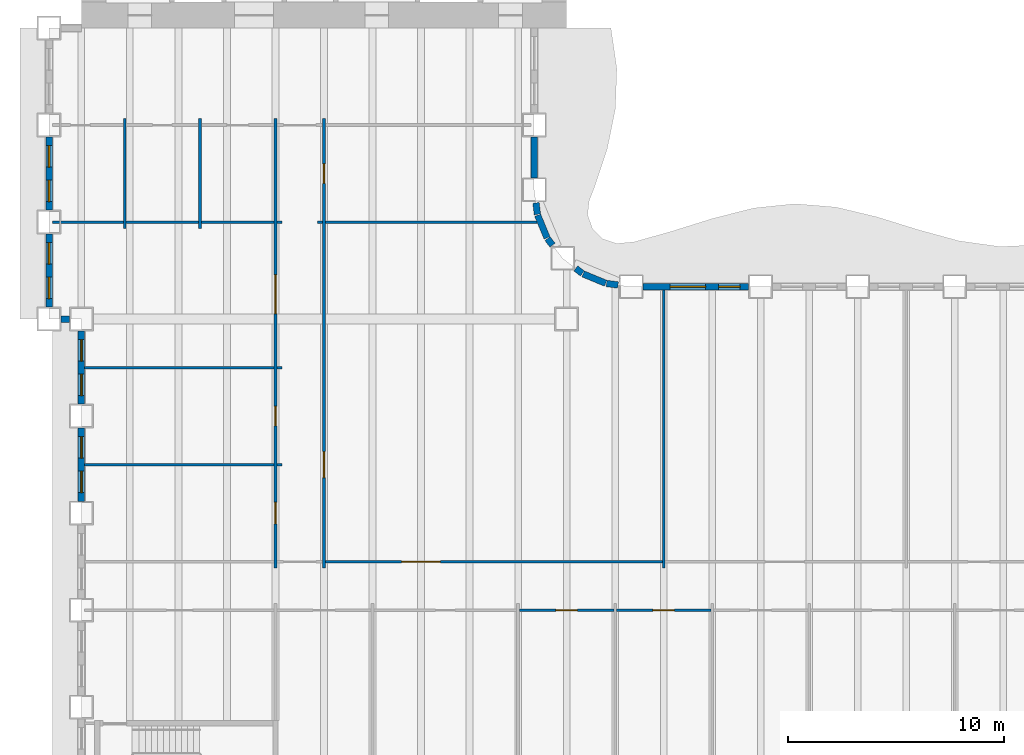
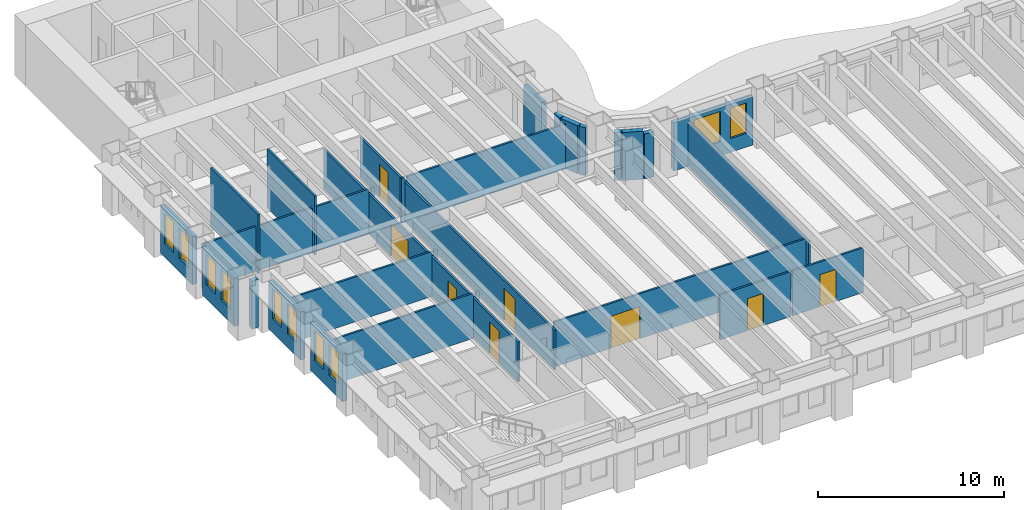
# One storey, part 4 of 15: 31 walls, 10 windows, 8 doors, 18 openings.
"""IFC4 building model written with IfcOpenShell, lengths in metres."""

from ifc_helpers import new_model, si_unit, direction, frame, frame_2d, origin, place, context, subcontext, project, spatial, rectangle, extrude, material, layer, layer_set, type_object, element, fill, save


model = new_model("IFC4")

# Units and contexts
model_context = context("Model", 3, precision=1e-05, world=origin(), true_north=direction((0.0, 1.0)))
body_context = subcontext(model_context, "Body", "Model", "MODEL_VIEW")
ifc_project = project(units=[si_unit("LENGTHUNIT", "METRE"), si_unit("AREAUNIT", "SQUARE_METRE"), si_unit("VOLUMEUNIT", "CUBIC_METRE"), si_unit("PLANEANGLEUNIT", "RADIAN"), si_unit("MASSUNIT", "GRAM", prefix="KILO")], contexts=[model_context])

# Site, building, storey
site_placement = place(None, origin())
site = spatial("IfcSite", under=ifc_project, at=site_placement, CompositionType="ELEMENT")
building_placement = place(site_placement, origin())
building = spatial("IfcBuilding", under=site, at=building_placement, Name="Sennacour Bend Tower", CompositionType="ELEMENT")
storey_placement = place(building_placement, frame((0.0, 0.0, 33.0)))
storey = spatial("IfcBuildingStorey", under=building, at=storey_placement, Name="L06", CompositionType="ELEMENT", Elevation=33.0)

# Walls
ifc_material_1 = material(Name="Plasterboard partition on steel studs", Category="steel")
ifc_layer_1 = layer(ifc_material_1, 0.1201171875, Name="Plasterboard partition on steel studs", Category="steel")
ifc_layer_set_1 = layer_set([ifc_layer_1], Name="Plasterboard partition on steel studs")
wall_type_1 = type_object("IfcWallType", Name="Partition 120", PredefinedType="PARTITIONING", material=ifc_layer_set_1)
for number, where, z_axis, x_axis, name in (
    (1, (2.0, 26.699951171875, 0.0), (0.0, 0.0, 1.0), (0.0, 1.0, 0.0), "P-L06-W004a"),
    (2, (5.5, 26.699951171875, 0.0), (0.0, 0.0, 1.0), (0.0, 1.0, 0.0), "P-L06-W008a"),
):
    element("IfcWall", number, at=place(storey_placement, frame(where, z_axis=z_axis, x_axis=x_axis)), inside=storey, type_object=wall_type_1, Name=name, PredefinedType="PARTITIONING", context=body_context, shape_type="SweptSolid", body=[
        extrude(rectangle(XDim=5.10009765625, YDim=0.1201171875, at=frame_2d((2.550048828125, 0.0))), origin(), (0.0, 0.0, 1.0), 3.85009765625),
    ])
wall_1_placement = place(storey_placement, frame((27.0, 10.949951171875, 0.0), z_axis=(0.0, 0.0, 1.0), x_axis=(0.0, 1.0, 0.0)))
element("IfcWall", 3, at=wall_1_placement, inside=storey, type_object=wall_type_1, Name="P-L06-W027a", PredefinedType="PARTITIONING", context=body_context, shape_type="SweptSolid", body=[
    extrude(rectangle(XDim=12.900146484375, YDim=0.1201171875, at=frame_2d((6.4501953125, 0.0))), origin(), (0.0, 0.0, 1.0), 2.93798828125),
])

# Wall, opening, door
wall_2_placement = place(storey_placement, frame((20.31005859375, 9.0, 0.0), z_axis=(0.0, 0.0, 1.0), x_axis=(1.0, 0.0, 0.0)))
wall_2 = element("IfcWall", 4, at=wall_2_placement, inside=storey, type_object=wall_type_1, Name="P-L06-W058ad", PredefinedType="PARTITIONING", context=body_context, shape_type="SweptSolid", body=[
    extrude(rectangle(XDim=4.3798828125, YDim=0.1201171875, at=frame_2d((2.18994140625, 0.0))), origin(), (0.0, 0.0, 1.0), 2.93798828125),
])
opening_1_placement = place(wall_2_placement, frame((1.68994140625, 0.0, 0.0)))
opening_1 = element("IfcOpeningElement", 5, at=opening_1_placement, cuts=wall_2, Name="Opening MD2", PredefinedType="OPENING", context=body_context, shape_type="SweptSolid", body=[
    extrude(rectangle(XDim=1.0, YDim=2.10009765625, at=frame_2d((0.5, 1.050048828125))), frame((0.0, 0.070068359375, 0.0), z_axis=(0.0, -1.0, 0.0), x_axis=(1.0, 0.0, 0.0)), (0.0, 0.0, 1.0), 0.14013671875),
])
ifc_material_2 = material(Name="Timber", Category="wood")
door_type_1 = type_object("IfcDoorType", Name="DR-MEETING-1000", OperationType="NOTDEFINED", PredefinedType="DOOR", material=ifc_material_2)
door_1_placement = place(opening_1_placement, origin())
door_1 = element("IfcDoor", 6, at=door_1_placement, inside=storey, type_object=door_type_1, Name="Door", OperationType="SINGLE_SWING_LEFT", OverallHeight=2.10009765625, OverallWidth=1.0, PredefinedType="DOOR", context=body_context, shape_type="SweptSolid", body=[
    extrude(rectangle(XDim=1.0, YDim=2.10009765625, at=frame_2d((0.5, 1.050048828125))), frame((0.0, 0.02490234375, 0.0), z_axis=(0.0, -1.0, 0.0), x_axis=(1.0, 0.0, 0.0)), (0.0, 0.0, 1.0), 0.050048828125),
])
fill(opening_1, door_1)

wall_3_placement = place(storey_placement, frame((24.81005859375, 9.0, 0.0), z_axis=(0.0, 0.0, 1.0), x_axis=(1.0, 0.0, 0.0)))
wall_3 = element("IfcWall", 7, at=wall_3_placement, inside=storey, type_object=wall_type_1, Name="P-L06-W058ae", PredefinedType="PARTITIONING", context=body_context, shape_type="SweptSolid", body=[
    extrude(rectangle(XDim=4.3798828125, YDim=0.1201171875, at=frame_2d((2.18994140625, 0.0))), origin(), (0.0, 0.0, 1.0), 2.93798828125),
])
opening_2_placement = place(wall_3_placement, frame((1.68994140625, 0.0, 0.0)))
opening_2 = element("IfcOpeningElement", 8, at=opening_2_placement, cuts=wall_3, Name="Opening OD2", PredefinedType="OPENING", context=body_context, shape_type="SweptSolid", body=[
    extrude(rectangle(XDim=1.0, YDim=2.10009765625, at=frame_2d((0.5, 1.050048828125))), frame((0.0, 0.070068359375, 0.0), z_axis=(0.0, -1.0, 0.0), x_axis=(1.0, 0.0, 0.0)), (0.0, 0.0, 1.0), 0.14013671875),
])
door_type_2 = type_object("IfcDoorType", Name="DR-OFFICE-1000", OperationType="NOTDEFINED", PredefinedType="DOOR", material=ifc_material_2)
door_2_placement = place(opening_2_placement, origin())
door_2 = element("IfcDoor", 9, at=door_2_placement, inside=storey, type_object=door_type_2, Name="Door", OperationType="SINGLE_SWING_LEFT", OverallHeight=2.10009765625, OverallWidth=1.0, PredefinedType="DOOR", context=body_context, shape_type="SweptSolid", body=[
    extrude(rectangle(XDim=1.0, YDim=2.10009765625, at=frame_2d((0.5, 1.050048828125))), frame((0.0, 0.02490234375, 0.0), z_axis=(0.0, -1.0, 0.0), x_axis=(1.0, 0.0, 0.0)), (0.0, 0.0, 1.0), 0.050048828125),
])
fill(opening_2, door_2)

wall_4_placement = place(storey_placement, frame((11.31005859375, 11.25, 0.0), z_axis=(0.0, 0.0, 1.0), x_axis=(1.0, 0.0, 0.0)))
wall_4 = element("IfcWall", 10, at=wall_4_placement, inside=storey, type_object=wall_type_1, Name="P-L06-W060ac", PredefinedType="PARTITIONING", context=body_context, shape_type="SweptSolid", body=[
    extrude(rectangle(XDim=15.6298828125, YDim=0.1201171875, at=frame_2d((7.81494140625, 0.0))), origin(), (0.0, 0.0, 1.0), 2.93798828125),
])
opening_3_placement = place(wall_4_placement, frame((3.539794921875, 0.0, 0.0)))
opening_3 = element("IfcOpeningElement", 11, at=opening_3_placement, cuts=wall_4, Name="Opening OD3", PredefinedType="OPENING", context=body_context, shape_type="SweptSolid", body=[
    extrude(rectangle(XDim=1.800048828125, YDim=2.10009765625, at=frame_2d((0.89990234375, 1.050048828125))), frame((0.0, 0.070068359375, 0.0), z_axis=(0.0, -1.0, 0.0), x_axis=(1.0, 0.0, 0.0)), (0.0, 0.0, 1.0), 0.14013671875),
])
door_type_3 = type_object("IfcDoorType", Name="DR-OFFICE-1800", OperationType="NOTDEFINED", PredefinedType="DOOR", material=ifc_material_2)
door_3_placement = place(opening_3_placement, origin())
door_3 = element("IfcDoor", 12, at=door_3_placement, inside=storey, type_object=door_type_3, Name="Door", OperationType="DOUBLE_DOOR_SINGLE_SWING", OverallHeight=2.10009765625, OverallWidth=1.800048828125, PredefinedType="DOOR", context=body_context, shape_type="SweptSolid", body=[
    extrude(rectangle(XDim=1.800048828125, YDim=2.10009765625, at=frame_2d((0.89990234375, 1.050048828125))), frame((0.0, 0.02490234375, 0.0), z_axis=(0.0, -1.0, 0.0), x_axis=(1.0, 0.0, 0.0)), (0.0, 0.0, 1.0), 0.050048828125),
])
fill(opening_3, door_3)

# Walls
wall_5_placement = place(storey_placement, frame((0.14990234375, 15.75, 0.0), z_axis=(0.0, 0.0, 1.0), x_axis=(1.0, 0.0, 0.0)))
element("IfcWall", 13, at=wall_5_placement, inside=storey, type_object=wall_type_1, Name="P-L06-W065aa", PredefinedType="PARTITIONING", context=body_context, shape_type="SweptSolid", body=[
    extrude(rectangle(XDim=8.7900390625, YDim=0.1201171875, at=frame_2d((4.39501953125, 0.0))), origin(), (0.0, 0.0, 1.0), 2.93798828125),
])
wall_6_placement = place(storey_placement, frame((9.06005859375, 15.75, 0.0), z_axis=(0.0, 0.0, 1.0), x_axis=(1.0, 0.0, 0.0)))
element("IfcWall", 14, at=wall_6_placement, inside=storey, type_object=wall_type_1, Name="P-L06-W065ab", PredefinedType="PARTITIONING", context=body_context, shape_type="SweptSolid", body=[
    extrude(rectangle(XDim=0.239990234375, YDim=0.1201171875, at=frame_2d((0.1201171875, 0.0))), origin(), (0.0, 0.0, 1.0), 2.93798828125),
])
wall_7_placement = place(storey_placement, frame((0.14990234375, 20.25, 0.0), z_axis=(0.0, 0.0, 1.0), x_axis=(1.0, 0.0, 0.0)))
element("IfcWall", 15, at=wall_7_placement, inside=storey, type_object=wall_type_1, Name="P-L06-W069aa", PredefinedType="PARTITIONING", context=body_context, shape_type="SweptSolid", body=[
    extrude(rectangle(XDim=8.7900390625, YDim=0.1201171875, at=frame_2d((4.39501953125, 0.0))), origin(), (0.0, 0.0, 1.0), 2.93798828125),
])
wall_8_placement = place(storey_placement, frame((9.06005859375, 20.25, 0.0), z_axis=(0.0, 0.0, 1.0), x_axis=(1.0, 0.0, 0.0)))
element("IfcWall", 16, at=wall_8_placement, inside=storey, type_object=wall_type_1, Name="P-L06-W069ab", PredefinedType="PARTITIONING", context=body_context, shape_type="SweptSolid", body=[
    extrude(rectangle(XDim=0.239990234375, YDim=0.1201171875, at=frame_2d((0.1201171875, 0.0))), origin(), (0.0, 0.0, 1.0), 2.93798828125),
])
wall_9_placement = place(storey_placement, frame((-1.35009765625, 27.0, 0.0), z_axis=(0.0, 0.0, 1.0), x_axis=(1.0, 0.0, 0.0)))
element("IfcWall", 17, at=wall_9_placement, inside=storey, type_object=wall_type_1, Name="P-L06-W071aa", PredefinedType="PARTITIONING", context=body_context, shape_type="SweptSolid", body=[
    extrude(rectangle(XDim=3.2900390625, YDim=0.1201171875, at=frame_2d((1.64501953125, 0.0))), origin(), (0.0, 0.0, 1.0), 2.93798828125),
])
for number, where, z_axis, x_axis, name in (
    (18, (2.06005859375, 27.0, 0.0), (0.0, 0.0, 1.0), (1.0, 0.0, 0.0), "P-L06-W071ab"),
    (19, (5.56005859375, 27.0, 0.0), (0.0, 0.0, 1.0), (1.0, 0.0, 0.0), "P-L06-W071ac"),
):
    element("IfcWall", number, at=place(storey_placement, frame(where, z_axis=z_axis, x_axis=x_axis)), inside=storey, type_object=wall_type_1, Name=name, PredefinedType="PARTITIONING", context=body_context, shape_type="SweptSolid", body=[
        extrude(rectangle(XDim=3.3798828125, YDim=0.1201171875, at=frame_2d((1.68994140625, 0.0))), origin(), (0.0, 0.0, 1.0), 2.93798828125),
    ])
for number, where, z_axis, x_axis, name in (
    (20, (9.06005859375, 27.0, 0.0), (0.0, 0.0, 1.0), (1.0, 0.0, 0.0), "P-L06-W071ad"),
    (21, (10.949951171875, 27.0, 0.0), (0.0, 0.0, 1.0), (1.0, 0.0, 0.0), "P-L06-W072aa"),
):
    element("IfcWall", number, at=place(storey_placement, frame(where, z_axis=z_axis, x_axis=x_axis)), inside=storey, type_object=wall_type_1, Name=name, PredefinedType="PARTITIONING", context=body_context, shape_type="SweptSolid", body=[
        extrude(rectangle(XDim=0.239990234375, YDim=0.1201171875, at=frame_2d((0.1201171875, 0.0))), origin(), (0.0, 0.0, 1.0), 2.93798828125),
    ])
wall_10_placement = place(storey_placement, frame((11.31005859375, 27.0, 0.0), z_axis=(0.0, 0.0, 1.0), x_axis=(1.0, 0.0, 0.0)))
element("IfcWall", 22, at=wall_10_placement, inside=storey, type_object=wall_type_1, Name="P-L06-W072ab", PredefinedType="PARTITIONING", context=body_context, shape_type="SweptSolid", body=[
    extrude(rectangle(XDim=9.81982421875, YDim=0.1201171875, at=frame_2d((4.909912109375, 0.0))), origin(), (0.0, 0.0, 1.0), 2.93798828125),
])

# Wall, openings, doors
ifc_layer_2 = layer(ifc_material_1, 0.1201171875, Name="Plasterboard partition on steel studs", Category="steel")
ifc_layer_set_2 = layer_set([ifc_layer_2], Name="Plasterboard partition on steel studs")
wall_type_2 = type_object("IfcWallType", Name="Partition 120 EI 60", PredefinedType="PARTITIONING", material=ifc_layer_set_2)
wall_11_placement = place(storey_placement, frame((9.0, 10.949951171875, 0.0), z_axis=(0.0, 0.0, 1.0), x_axis=(0.0, 1.0, 0.0)))
wall_11 = element("IfcWall", 23, at=wall_11_placement, inside=storey, type_object=wall_type_2, Name="P-L06-W013a", PredefinedType="PARTITIONING", context=body_context, shape_type="SweptSolid", body=[
    extrude(rectangle(XDim=20.85009765625, YDim=0.1201171875, at=frame_2d((10.425048828125, 0.0))), origin(), (0.0, 0.0, 1.0), 2.60009765625),
])
opening_4_placement = place(wall_11_placement, frame((2.050048828125, 0.0, 0.0)))
opening_4 = element("IfcOpeningElement", 24, at=opening_4_placement, cuts=wall_11, Name="Opening OD2", PredefinedType="OPENING", context=body_context, shape_type="SweptSolid", body=[
    extrude(rectangle(XDim=1.0, YDim=2.10009765625, at=frame_2d((0.5, 1.050048828125))), frame((0.0, 0.070068359375, 0.0), z_axis=(0.0, -1.0, 0.0), x_axis=(1.0, 0.0, 0.0)), (0.0, 0.0, 1.0), 0.14013671875),
])
opening_5_placement = place(wall_11_placement, frame((6.60009765625, 0.0, 0.0)))
opening_5 = element("IfcOpeningElement", 25, at=opening_5_placement, cuts=wall_11, Name="Opening SV", PredefinedType="OPENING", context=body_context, shape_type="SweptSolid", body=[
    extrude(rectangle(XDim=0.89990234375, YDim=2.10009765625, at=frame_2d((0.449951171875, 1.050048828125))), frame((0.0, 0.070068359375, 0.0), z_axis=(0.0, -1.0, 0.0), x_axis=(1.0, 0.0, 0.0)), (0.0, 0.0, 1.0), 0.14013671875),
])
opening_6_placement = place(wall_11_placement, frame((11.804931640625, 0.0, 0.0)))
opening_6 = element("IfcOpeningElement", 26, at=opening_6_placement, cuts=wall_11, Name="Opening OD3", PredefinedType="OPENING", context=body_context, shape_type="SweptSolid", body=[
    extrude(rectangle(XDim=1.800048828125, YDim=2.10009765625, at=frame_2d((0.89990234375, 1.050048828125))), frame((0.0, 0.070068359375, 0.0), z_axis=(0.0, -1.0, 0.0), x_axis=(1.0, 0.0, 0.0)), (0.0, 0.0, 1.0), 0.14013671875),
])
door_4_placement = place(opening_4_placement, origin())
door_4 = element("IfcDoor", 27, at=door_4_placement, inside=storey, type_object=door_type_2, Name="Door", OperationType="SINGLE_SWING_LEFT", OverallHeight=2.10009765625, OverallWidth=1.0, PredefinedType="DOOR", context=body_context, shape_type="SweptSolid", body=[
    extrude(rectangle(XDim=1.0, YDim=2.10009765625, at=frame_2d((0.5, 1.050048828125))), frame((0.0, 0.02490234375, 0.0), z_axis=(0.0, -1.0, 0.0), x_axis=(1.0, 0.0, 0.0)), (0.0, 0.0, 1.0), 0.050048828125),
])
fill(opening_4, door_4)
door_5_placement = place(opening_6_placement, origin())
door_5 = element("IfcDoor", 28, at=door_5_placement, inside=storey, type_object=door_type_3, Name="Door", OperationType="DOUBLE_DOOR_SINGLE_SWING", OverallHeight=2.10009765625, OverallWidth=1.800048828125, PredefinedType="DOOR", context=body_context, shape_type="SweptSolid", body=[
    extrude(rectangle(XDim=1.800048828125, YDim=2.10009765625, at=frame_2d((0.89990234375, 1.050048828125))), frame((0.0, 0.02490234375, 0.0), z_axis=(0.0, -1.0, 0.0), x_axis=(1.0, 0.0, 0.0)), (0.0, 0.0, 1.0), 0.050048828125),
])
fill(opening_6, door_5)
ifc_material_3 = material(Name="Painted steel", Category="steel")
door_type_4 = type_object("IfcDoorType", Name="DR-SERVICE-900", OperationType="NOTDEFINED", PredefinedType="DOOR", material=ifc_material_3)
door_6_placement = place(opening_5_placement, origin())
door_6 = element("IfcDoor", 29, at=door_6_placement, inside=storey, type_object=door_type_4, Name="Door", OperationType="SINGLE_SWING_LEFT", OverallHeight=2.10009765625, OverallWidth=0.89990234375, PredefinedType="DOOR", context=body_context, shape_type="SweptSolid", body=[
    extrude(rectangle(XDim=0.89990234375, YDim=2.10009765625, at=frame_2d((0.449951171875, 1.050048828125))), frame((0.0, 0.02490234375, 0.0), z_axis=(0.0, -1.0, 0.0), x_axis=(1.0, 0.0, 0.0)), (0.0, 0.0, 1.0), 0.050048828125),
])
fill(opening_5, door_6)

wall_12_placement = place(storey_placement, frame((11.25, 10.949951171875, 0.0), z_axis=(0.0, 0.0, 1.0), x_axis=(0.0, 1.0, 0.0)))
wall_12 = element("IfcWall", 30, at=wall_12_placement, inside=storey, type_object=wall_type_2, Name="P-L06-W015a", PredefinedType="PARTITIONING", context=body_context, shape_type="SweptSolid", body=[
    extrude(rectangle(XDim=20.85009765625, YDim=0.1201171875, at=frame_2d((10.425048828125, 0.0))), origin(), (0.0, 0.0, 1.0), 2.60009765625),
])
opening_7_placement = place(wall_12_placement, frame((17.85009765625, 0.0, 0.0)))
opening_7 = element("IfcOpeningElement", 31, at=opening_7_placement, cuts=wall_12, Name="Opening SV", PredefinedType="OPENING", context=body_context, shape_type="SweptSolid", body=[
    extrude(rectangle(XDim=0.89990234375, YDim=2.10009765625, at=frame_2d((0.449951171875, 1.050048828125))), frame((0.0, 0.070068359375, 0.0), z_axis=(0.0, -1.0, 0.0), x_axis=(1.0, 0.0, 0.0)), (0.0, 0.0, 1.0), 0.14013671875),
])
opening_8_placement = place(wall_12_placement, frame((4.199951171875, 0.0, 0.0)))
opening_8 = element("IfcOpeningElement", 32, at=opening_8_placement, cuts=wall_12, Name="Opening OD", PredefinedType="OPENING", context=body_context, shape_type="SweptSolid", body=[
    extrude(rectangle(XDim=1.199951171875, YDim=2.10009765625, at=frame_2d((0.60009765625, 1.050048828125))), frame((0.0, 0.070068359375, 0.0), z_axis=(0.0, -1.0, 0.0), x_axis=(1.0, 0.0, 0.0)), (0.0, 0.0, 1.0), 0.14013671875),
])
door_type_5 = type_object("IfcDoorType", Name="DR-OFFICE-1200", OperationType="NOTDEFINED", PredefinedType="DOOR", material=ifc_material_2)
door_7_placement = place(opening_8_placement, origin())
door_7 = element("IfcDoor", 33, at=door_7_placement, inside=storey, type_object=door_type_5, Name="Door", OperationType="SINGLE_SWING_LEFT", OverallHeight=2.10009765625, OverallWidth=1.199951171875, PredefinedType="DOOR", context=body_context, shape_type="SweptSolid", body=[
    extrude(rectangle(XDim=1.199951171875, YDim=2.10009765625, at=frame_2d((0.60009765625, 1.050048828125))), frame((0.0, 0.02490234375, 0.0), z_axis=(0.0, -1.0, 0.0), x_axis=(1.0, 0.0, 0.0)), (0.0, 0.0, 1.0), 0.050048828125),
])
fill(opening_8, door_7)
door_8_placement = place(opening_7_placement, origin())
door_8 = element("IfcDoor", 34, at=door_8_placement, inside=storey, type_object=door_type_4, Name="Door", OperationType="SINGLE_SWING_RIGHT", OverallHeight=2.10009765625, OverallWidth=0.89990234375, PredefinedType="DOOR", context=body_context, shape_type="SweptSolid", body=[
    extrude(rectangle(XDim=0.89990234375, YDim=2.10009765625, at=frame_2d((0.449951171875, 1.050048828125))), frame((0.0, 0.02490234375, 0.0), z_axis=(0.0, -1.0, 0.0), x_axis=(1.0, 0.0, 0.0)), (0.0, 0.0, 1.0), 0.050048828125),
])
fill(opening_7, door_8)

# Wall, openings, windows
ifc_material_4 = material(Name="Warm limestone cladding", Category="masonry")
ifc_layer_3 = layer(ifc_material_4, 0.050048828125, Name="Warm limestone cladding", Category="masonry")
ifc_material_5 = material(Name="Precast concrete C40/50", Category="concrete")
ifc_layer_4 = layer(ifc_material_5, 0.25, Name="Precast concrete C40/50", Category="concrete")
ifc_layer_set_3 = layer_set([ifc_layer_3, ifc_layer_4], Name="Precast concrete C40/50 with limestone cladding")
wall_type_3 = type_object("IfcWallType", Name="STONE-CLAD PRECAST SPANDREL 300", PredefinedType="STANDARD", material=ifc_layer_set_3)
wall_13_placement = place(storey_placement, frame((30.949951171875, 24.0, 0.0), z_axis=(0.0, 0.0, 1.0), x_axis=(-1.0, 0.0, 0.0)))
wall_13 = element("IfcWall", 35, at=wall_13_placement, inside=storey, type_object=wall_type_3, Name="Stone spandrel and pier wall L06 08.05", PredefinedType="STANDARD", context=body_context, shape_type="SweptSolid", body=[
    extrude(rectangle(XDim=4.89990234375, YDim=0.300048828125, at=frame_2d((2.449951171875, 0.0))), origin(), (0.0, 0.0, 1.0), 3.14404296875),
])
opening_9_placement = place(wall_13_placement, frame((0.39990234375, 0.0, 0.89990234375)))
opening_9 = element("IfcOpeningElement", 36, at=opening_9_placement, cuts=wall_13, Name="Opening W8", PredefinedType="OPENING", context=body_context, shape_type="SweptSolid", body=[
    extrude(rectangle(XDim=1.0, YDim=2.0, at=frame_2d((0.5, 1.0))), frame((0.0, 0.16015625, 0.0), z_axis=(0.0, -1.0, 0.0), x_axis=(1.0, 0.0, 0.0)), (0.0, 0.0, 1.0), 0.320068359375),
])
opening_10_placement = place(wall_13_placement, frame((2.0, 0.0, 0.89990234375)))
opening_10 = element("IfcOpeningElement", 37, at=opening_10_placement, cuts=wall_13, Name="Opening W10", PredefinedType="OPENING", context=body_context, shape_type="SweptSolid", body=[
    extrude(rectangle(XDim=1.64990234375, YDim=2.0, at=frame_2d((0.824951171875, 1.0))), frame((0.0, 0.16015625, 0.0), z_axis=(0.0, -1.0, 0.0), x_axis=(1.0, 0.0, 0.0)), (0.0, 0.0, 1.0), 0.320068359375),
])
ifc_material_6 = material(Name="Clear low-emissivity glass", Category="glass")
window_type_1 = type_object("IfcWindowType", Name="WIN-RIBBON-1000x2000", PartitioningType="SINGLE_PANEL", PredefinedType="WINDOW", material=ifc_material_6)
window_1_placement = place(opening_9_placement, origin())
window_1 = element("IfcWindow", 38, at=window_1_placement, inside=storey, type_object=window_type_1, Name="Ribbon window L06 08.05.0", OverallHeight=2.0, OverallWidth=1.0, PartitioningType="SINGLE_PANEL", PredefinedType="WINDOW", context=body_context, shape_type="SweptSolid", body=[
    extrude(rectangle(XDim=1.0, YDim=2.0, at=frame_2d((0.5, 1.0))), frame((0.0, 0.030029296875, 0.0), z_axis=(0.0, -1.0, 0.0), x_axis=(1.0, 0.0, 0.0)), (0.0, 0.0, 1.0), 0.06005859375),
])
fill(opening_9, window_1)
window_type_2 = type_object("IfcWindowType", Name="WIN-RIBBON-1650x2000", PartitioningType="SINGLE_PANEL", PredefinedType="WINDOW", material=ifc_material_6)
window_2_placement = place(opening_10_placement, origin())
window_2 = element("IfcWindow", 39, at=window_2_placement, inside=storey, type_object=window_type_2, Name="Ribbon window L06 08.05.1", OverallHeight=2.0, OverallWidth=1.64990234375, PartitioningType="SINGLE_PANEL", PredefinedType="WINDOW", context=body_context, shape_type="SweptSolid", body=[
    extrude(rectangle(XDim=1.64990234375, YDim=2.0, at=frame_2d((0.824951171875, 1.0))), frame((0.0, 0.030029296875, 0.0), z_axis=(0.0, -1.0, 0.0), x_axis=(1.0, 0.0, 0.0)), (0.0, 0.0, 1.0), 0.06005859375),
])
fill(opening_10, window_2)

# Walls
wall_14_placement = place(storey_placement, frame((24.88818359375, 24.08056640625, 0.0), z_axis=(0.0, 0.0, 1.0), x_axis=(-0.991417173479, 0.130736330569, 0.0)))
element("IfcWall", 40, at=wall_14_placement, inside=storey, type_object=wall_type_3, Name="Stone spandrel and pier wall L06 09.00", PredefinedType="STANDARD", context=body_context, shape_type="SweptSolid", body=[
    extrude(rectangle(XDim=0.537841796875, YDim=0.300048828125, at=frame_2d((0.26904296875, 0.0))), origin(), (0.0, 0.0, 1.0), 2.93798828125),
])
wall_15_placement = place(storey_placement, frame((24.317138671875, 24.160888671875, 0.0), z_axis=(0.0, 0.0, 1.0), x_axis=(-0.923914616768, 0.382598720491, 0.0)))
element("IfcWall", 41, at=wall_15_placement, inside=storey, type_object=wall_type_3, Name="Stone spandrel and pier wall L06 10.00", PredefinedType="STANDARD", context=body_context, shape_type="SweptSolid", body=[
    extrude(rectangle(XDim=1.13525390625, YDim=0.300048828125, at=frame_2d((0.567626953125, 0.0))), origin(), (0.0, 0.0, 1.0), 3.14404296875),
])
for number, where, z_axis, x_axis, name in (
    (42, (23.234375, 24.614990234375, 0.0), (0.0, 0.0, 1.0), (-0.79354495224, 0.60851163405, 0.0), "Stone spandrel and pier wall L06 11.00"),
    (43, (21.8486328125, 25.9296875, 0.0), (0.0, 0.0, 1.0), (-0.60851163405, 0.79354495224, 0.0), "Stone spandrel and pier wall L06 12.00"),
):
    element("IfcWall", number, at=place(storey_placement, frame(where, z_axis=z_axis, x_axis=x_axis)), inside=storey, type_object=wall_type_3, Name=name, PredefinedType="STANDARD", context=body_context, shape_type="SweptSolid", body=[
        extrude(rectangle(XDim=0.384033203125, YDim=0.300048828125, at=frame_2d((0.19189453125, 0.0))), origin(), (0.0, 0.0, 1.0), 3.14404296875),
    ])
wall_16_placement = place(storey_placement, frame((21.59521484375, 26.268310546875, 0.0), z_axis=(0.0, 0.0, 1.0), x_axis=(-0.382598720491, 0.923914616768, 0.0)))
element("IfcWall", 44, at=wall_16_placement, inside=storey, type_object=wall_type_3, Name="Stone spandrel and pier wall L06 13.00", PredefinedType="STANDARD", context=body_context, shape_type="SweptSolid", body=[
    extrude(rectangle(XDim=1.13525390625, YDim=0.300048828125, at=frame_2d((0.567626953125, 0.0))), origin(), (0.0, 0.0, 1.0), 3.14404296875),
])
wall_17_placement = place(storey_placement, frame((21.15087890625, 27.35498046875, 0.0), z_axis=(0.0, 0.0, 1.0), x_axis=(-0.130736330569, 0.991417173479, 0.0)))
element("IfcWall", 45, at=wall_17_placement, inside=storey, type_object=wall_type_3, Name="Stone spandrel and pier wall L06 14.00", PredefinedType="STANDARD", context=body_context, shape_type="SweptSolid", body=[
    extrude(rectangle(XDim=0.537841796875, YDim=0.300048828125, at=frame_2d((0.26904296875, 0.0))), origin(), (0.0, 0.0, 1.0), 3.14404296875),
])
wall_18_placement = place(storey_placement, frame((21.0, 29.050048828125, 0.0), z_axis=(0.0, 0.0, 1.0), x_axis=(0.0, 1.0, 0.0)))
element("IfcWall", 46, at=wall_18_placement, inside=storey, type_object=wall_type_3, Name="Stone spandrel and pier wall L06 15.00", PredefinedType="STANDARD", context=body_context, shape_type="SweptSolid", body=[
    extrude(rectangle(XDim=1.89990234375, YDim=0.300048828125, at=frame_2d((0.949951171875, 0.0))), origin(), (0.0, 0.0, 1.0), 3.14404296875),
])

# Wall, openings, windows
wall_19_placement = place(storey_placement, frame((-1.5, 30.949951171875, 0.0), z_axis=(0.0, 0.0, 1.0), x_axis=(0.0, -1.0, 0.0)))
wall_19 = element("IfcWall", 47, at=wall_19_placement, inside=storey, type_object=wall_type_3, Name="Stone spandrel and pier wall L06 21.01", PredefinedType="STANDARD", context=body_context, shape_type="SweptSolid", body=[
    extrude(rectangle(XDim=3.39990234375, YDim=0.300048828125, at=frame_2d((1.699951171875, 0.0))), origin(), (0.0, 0.0, 1.0), 3.14404296875),
])
opening_11_placement = place(wall_19_placement, frame((0.39990234375, 0.0, 0.89990234375)))
opening_11 = element("IfcOpeningElement", 48, at=opening_11_placement, cuts=wall_19, Name="Opening W8", PredefinedType="OPENING", context=body_context, shape_type="SweptSolid", body=[
    extrude(rectangle(XDim=1.0, YDim=2.0, at=frame_2d((0.5, 1.0))), frame((0.0, 0.16015625, 0.0), z_axis=(0.0, -1.0, 0.0), x_axis=(1.0, 0.0, 0.0)), (0.0, 0.0, 1.0), 0.320068359375),
])
opening_12_placement = place(wall_19_placement, frame((2.0, 0.0, 0.89990234375)))
opening_12 = element("IfcOpeningElement", 49, at=opening_12_placement, cuts=wall_19, Name="Opening W8", PredefinedType="OPENING", context=body_context, shape_type="SweptSolid", body=[
    extrude(rectangle(XDim=1.0, YDim=2.0, at=frame_2d((0.5, 1.0))), frame((0.0, 0.16015625, 0.0), z_axis=(0.0, -1.0, 0.0), x_axis=(1.0, 0.0, 0.0)), (0.0, 0.0, 1.0), 0.320068359375),
])
window_3_placement = place(opening_11_placement, origin())
window_3 = element("IfcWindow", 50, at=window_3_placement, inside=storey, type_object=window_type_1, Name="Ribbon window L06 21.01.0", OverallHeight=2.0, OverallWidth=1.0, PartitioningType="SINGLE_PANEL", PredefinedType="WINDOW", context=body_context, shape_type="SweptSolid", body=[
    extrude(rectangle(XDim=1.0, YDim=2.0, at=frame_2d((0.5, 1.0))), frame((0.0, 0.030029296875, 0.0), z_axis=(0.0, -1.0, 0.0), x_axis=(1.0, 0.0, 0.0)), (0.0, 0.0, 1.0), 0.06005859375),
])
fill(opening_11, window_3)
window_4_placement = place(opening_12_placement, origin())
window_4 = element("IfcWindow", 51, at=window_4_placement, inside=storey, type_object=window_type_1, Name="Ribbon window L06 21.01.1", OverallHeight=2.0, OverallWidth=1.0, PartitioningType="SINGLE_PANEL", PredefinedType="WINDOW", context=body_context, shape_type="SweptSolid", body=[
    extrude(rectangle(XDim=1.0, YDim=2.0, at=frame_2d((0.5, 1.0))), frame((0.0, 0.030029296875, 0.0), z_axis=(0.0, -1.0, 0.0), x_axis=(1.0, 0.0, 0.0)), (0.0, 0.0, 1.0), 0.06005859375),
])
fill(opening_12, window_4)

wall_20_placement = place(storey_placement, frame((-1.5, 26.449951171875, 0.0), z_axis=(0.0, 0.0, 1.0), x_axis=(0.0, -1.0, 0.0)))
wall_20 = element("IfcWall", 52, at=wall_20_placement, inside=storey, type_object=wall_type_3, Name="Stone spandrel and pier wall L06 21.02", PredefinedType="STANDARD", context=body_context, shape_type="SweptSolid", body=[
    extrude(rectangle(XDim=3.39990234375, YDim=0.300048828125, at=frame_2d((1.699951171875, 0.0))), origin(), (0.0, 0.0, 1.0), 3.14404296875),
])
opening_13_placement = place(wall_20_placement, frame((0.39990234375, 0.0, 0.89990234375)))
opening_13 = element("IfcOpeningElement", 53, at=opening_13_placement, cuts=wall_20, Name="Opening W8", PredefinedType="OPENING", context=body_context, shape_type="SweptSolid", body=[
    extrude(rectangle(XDim=1.0, YDim=2.0, at=frame_2d((0.5, 1.0))), frame((0.0, 0.16015625, 0.0), z_axis=(0.0, -1.0, 0.0), x_axis=(1.0, 0.0, 0.0)), (0.0, 0.0, 1.0), 0.320068359375),
])
opening_14_placement = place(wall_20_placement, frame((2.0, 0.0, 0.89990234375)))
opening_14 = element("IfcOpeningElement", 54, at=opening_14_placement, cuts=wall_20, Name="Opening W8", PredefinedType="OPENING", context=body_context, shape_type="SweptSolid", body=[
    extrude(rectangle(XDim=1.0, YDim=2.0, at=frame_2d((0.5, 1.0))), frame((0.0, 0.16015625, 0.0), z_axis=(0.0, -1.0, 0.0), x_axis=(1.0, 0.0, 0.0)), (0.0, 0.0, 1.0), 0.320068359375),
])
window_5_placement = place(opening_13_placement, origin())
window_5 = element("IfcWindow", 55, at=window_5_placement, inside=storey, type_object=window_type_1, Name="Ribbon window L06 21.02.0", OverallHeight=2.0, OverallWidth=1.0, PartitioningType="SINGLE_PANEL", PredefinedType="WINDOW", context=body_context, shape_type="SweptSolid", body=[
    extrude(rectangle(XDim=1.0, YDim=2.0, at=frame_2d((0.5, 1.0))), frame((0.0, 0.030029296875, 0.0), z_axis=(0.0, -1.0, 0.0), x_axis=(1.0, 0.0, 0.0)), (0.0, 0.0, 1.0), 0.06005859375),
])
fill(opening_13, window_5)
window_6_placement = place(opening_14_placement, origin())
window_6 = element("IfcWindow", 56, at=window_6_placement, inside=storey, type_object=window_type_1, Name="Ribbon window L06 21.02.1", OverallHeight=2.0, OverallWidth=1.0, PartitioningType="SINGLE_PANEL", PredefinedType="WINDOW", context=body_context, shape_type="SweptSolid", body=[
    extrude(rectangle(XDim=1.0, YDim=2.0, at=frame_2d((0.5, 1.0))), frame((0.0, 0.030029296875, 0.0), z_axis=(0.0, -1.0, 0.0), x_axis=(1.0, 0.0, 0.0)), (0.0, 0.0, 1.0), 0.06005859375),
])
fill(opening_14, window_6)

# Wall
wall_21_placement = place(storey_placement, frame((-0.949951171875, 22.5, 0.0), z_axis=(0.0, 0.0, 1.0), x_axis=(1.0, 0.0, 0.0)))
element("IfcWall", 57, at=wall_21_placement, inside=storey, type_object=wall_type_3, Name="Stone spandrel and pier wall L06 22.00", PredefinedType="STANDARD", context=body_context, shape_type="SweptSolid", body=[
    extrude(rectangle(XDim=0.39990234375, YDim=0.300048828125, at=frame_2d((0.199951171875, 0.0))), origin(), (0.0, 0.0, 1.0), 3.14404296875),
])

# Wall, openings, windows
wall_22_placement = place(storey_placement, frame((0.0, 21.949951171875, 0.0), z_axis=(0.0, 0.0, 1.0), x_axis=(0.0, -1.0, 0.0)))
wall_22 = element("IfcWall", 58, at=wall_22_placement, inside=storey, type_object=wall_type_3, Name="Stone spandrel and pier wall L06 23.00", PredefinedType="STANDARD", context=body_context, shape_type="SweptSolid", body=[
    extrude(rectangle(XDim=3.39990234375, YDim=0.300048828125, at=frame_2d((1.699951171875, 0.0))), origin(), (0.0, 0.0, 1.0), 3.14404296875),
])
opening_15_placement = place(wall_22_placement, frame((0.39990234375, 0.0, 0.89990234375)))
opening_15 = element("IfcOpeningElement", 59, at=opening_15_placement, cuts=wall_22, Name="Opening W8", PredefinedType="OPENING", context=body_context, shape_type="SweptSolid", body=[
    extrude(rectangle(XDim=1.0, YDim=2.0, at=frame_2d((0.5, 1.0))), frame((0.0, 0.16015625, 0.0), z_axis=(0.0, -1.0, 0.0), x_axis=(1.0, 0.0, 0.0)), (0.0, 0.0, 1.0), 0.320068359375),
])
opening_16_placement = place(wall_22_placement, frame((2.0, 0.0, 0.89990234375)))
opening_16 = element("IfcOpeningElement", 60, at=opening_16_placement, cuts=wall_22, Name="Opening W8", PredefinedType="OPENING", context=body_context, shape_type="SweptSolid", body=[
    extrude(rectangle(XDim=1.0, YDim=2.0, at=frame_2d((0.5, 1.0))), frame((0.0, 0.16015625, 0.0), z_axis=(0.0, -1.0, 0.0), x_axis=(1.0, 0.0, 0.0)), (0.0, 0.0, 1.0), 0.320068359375),
])
window_7_placement = place(opening_15_placement, origin())
window_7 = element("IfcWindow", 61, at=window_7_placement, inside=storey, type_object=window_type_1, Name="Ribbon window L06 23.00.0", OverallHeight=2.0, OverallWidth=1.0, PartitioningType="SINGLE_PANEL", PredefinedType="WINDOW", context=body_context, shape_type="SweptSolid", body=[
    extrude(rectangle(XDim=1.0, YDim=2.0, at=frame_2d((0.5, 1.0))), frame((0.0, 0.030029296875, 0.0), z_axis=(0.0, -1.0, 0.0), x_axis=(1.0, 0.0, 0.0)), (0.0, 0.0, 1.0), 0.06005859375),
])
fill(opening_15, window_7)
window_8_placement = place(opening_16_placement, origin())
window_8 = element("IfcWindow", 62, at=window_8_placement, inside=storey, type_object=window_type_1, Name="Ribbon window L06 23.00.1", OverallHeight=2.0, OverallWidth=1.0, PartitioningType="SINGLE_PANEL", PredefinedType="WINDOW", context=body_context, shape_type="SweptSolid", body=[
    extrude(rectangle(XDim=1.0, YDim=2.0, at=frame_2d((0.5, 1.0))), frame((0.0, 0.030029296875, 0.0), z_axis=(0.0, -1.0, 0.0), x_axis=(1.0, 0.0, 0.0)), (0.0, 0.0, 1.0), 0.06005859375),
])
fill(opening_16, window_8)

wall_23_placement = place(storey_placement, frame((0.0, 17.449951171875, 0.0), z_axis=(0.0, 0.0, 1.0), x_axis=(0.0, -1.0, 0.0)))
wall_23 = element("IfcWall", 63, at=wall_23_placement, inside=storey, type_object=wall_type_3, Name="Stone spandrel and pier wall L06 23.01", PredefinedType="STANDARD", context=body_context, shape_type="SweptSolid", body=[
    extrude(rectangle(XDim=3.39990234375, YDim=0.300048828125, at=frame_2d((1.699951171875, 0.0))), origin(), (0.0, 0.0, 1.0), 3.14404296875),
])
opening_17_placement = place(wall_23_placement, frame((0.39990234375, 0.0, 0.89990234375)))
opening_17 = element("IfcOpeningElement", 64, at=opening_17_placement, cuts=wall_23, Name="Opening W8", PredefinedType="OPENING", context=body_context, shape_type="SweptSolid", body=[
    extrude(rectangle(XDim=1.0, YDim=2.0, at=frame_2d((0.5, 1.0))), frame((0.0, 0.16015625, 0.0), z_axis=(0.0, -1.0, 0.0), x_axis=(1.0, 0.0, 0.0)), (0.0, 0.0, 1.0), 0.320068359375),
])
opening_18_placement = place(wall_23_placement, frame((2.0, 0.0, 0.89990234375)))
opening_18 = element("IfcOpeningElement", 65, at=opening_18_placement, cuts=wall_23, Name="Opening W8", PredefinedType="OPENING", context=body_context, shape_type="SweptSolid", body=[
    extrude(rectangle(XDim=1.0, YDim=2.0, at=frame_2d((0.5, 1.0))), frame((0.0, 0.16015625, 0.0), z_axis=(0.0, -1.0, 0.0), x_axis=(1.0, 0.0, 0.0)), (0.0, 0.0, 1.0), 0.320068359375),
])
window_9_placement = place(opening_17_placement, origin())
window_9 = element("IfcWindow", 66, at=window_9_placement, inside=storey, type_object=window_type_1, Name="Ribbon window L06 23.01.0", OverallHeight=2.0, OverallWidth=1.0, PartitioningType="SINGLE_PANEL", PredefinedType="WINDOW", context=body_context, shape_type="SweptSolid", body=[
    extrude(rectangle(XDim=1.0, YDim=2.0, at=frame_2d((0.5, 1.0))), frame((0.0, 0.030029296875, 0.0), z_axis=(0.0, -1.0, 0.0), x_axis=(1.0, 0.0, 0.0)), (0.0, 0.0, 1.0), 0.06005859375),
])
fill(opening_17, window_9)
window_10_placement = place(opening_18_placement, origin())
window_10 = element("IfcWindow", 67, at=window_10_placement, inside=storey, type_object=window_type_1, Name="Ribbon window L06 23.01.1", OverallHeight=2.0, OverallWidth=1.0, PartitioningType="SINGLE_PANEL", PredefinedType="WINDOW", context=body_context, shape_type="SweptSolid", body=[
    extrude(rectangle(XDim=1.0, YDim=2.0, at=frame_2d((0.5, 1.0))), frame((0.0, 0.030029296875, 0.0), z_axis=(0.0, -1.0, 0.0), x_axis=(1.0, 0.0, 0.0)), (0.0, 0.0, 1.0), 0.06005859375),
])
fill(opening_18, window_10)

save(model, "model.ifc")
